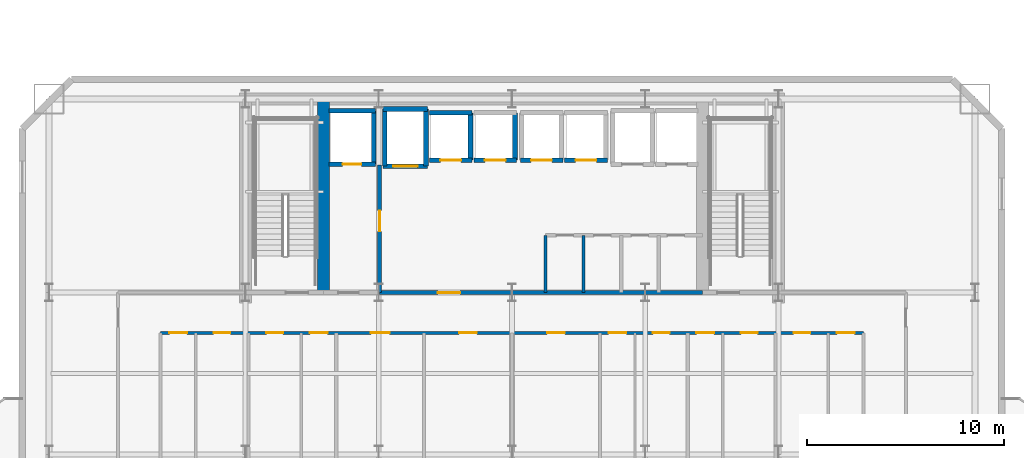
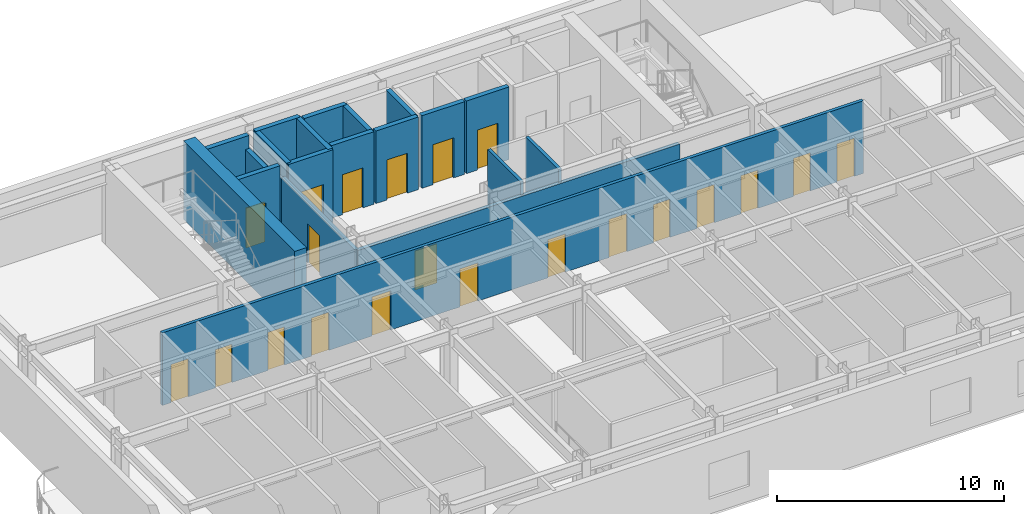
# One storey, part 6 of 15: 21 doors, 20 walls, 21 openings.
"""IFC4 building model written with IfcOpenShell, lengths in metres."""

from ifc_helpers import new_model, si_unit, direction, frame, frame_2d, origin, place, context, subcontext, project, spatial, rectangle, extrude, material, layer, layer_set, type_object, element, fill, save


model = new_model("IFC4")

# Units and contexts
model_context = context("Model", 3, precision=1e-05, world=origin(), true_north=direction((0.0, 1.0)))
body_context = subcontext(model_context, "Body", "Model", "MODEL_VIEW")
ifc_project = project(units=[si_unit("LENGTHUNIT", "METRE"), si_unit("AREAUNIT", "SQUARE_METRE"), si_unit("VOLUMEUNIT", "CUBIC_METRE"), si_unit("PLANEANGLEUNIT", "RADIAN"), si_unit("MASSUNIT", "GRAM", prefix="KILO")], contexts=[model_context])

# Site, building, storey
site_placement = place(None, origin())
site = spatial("IfcSite", under=ifc_project, at=site_placement, CompositionType="ELEMENT")
building_placement = place(site_placement, origin())
building = spatial("IfcBuilding", under=site, at=building_placement, Name="Haevon Station Towers", CompositionType="ELEMENT")
storey_placement = place(building_placement, frame((0.0, 0.0, 77.699951171875)))
storey = spatial("IfcBuildingStorey", under=building, at=storey_placement, Name="L20", CompositionType="ELEMENT", Elevation=77.699951171875)

# Wall, opening, door
ifc_material_1 = material(Name="Gypsum board on steel stud", Category="steel")
ifc_layer_1 = layer(ifc_material_1, 0.199951171875)
ifc_layer_set_1 = layer_set([ifc_layer_1], Name="Gypsum board on steel stud")
wall_type_1 = type_object("IfcWallType", Name="WL-COR200", PredefinedType="PARTITIONING", material=ifc_layer_set_1)
wall_1_placement = place(storey_placement, frame((30.800048828125, 38.199951171875, 0.0), z_axis=(0.0, 0.0, 1.0), x_axis=(0.0, 1.0, 0.0)))
wall_1 = element("IfcWall", 1, at=wall_1_placement, inside=storey, type_object=wall_type_1, Name="WL-T1FFL-L20-E", PredefinedType="PARTITIONING", context=body_context, shape_type="SweptSolid", body=[
    extrude(rectangle(XDim=6.449951171875, YDim=0.199951171875, at=frame_2d((3.22509765625, 0.0))), origin(), (0.0, 0.0, 1.0), 3.199951171875),
])
opening_1_placement = place(wall_1_placement, frame((3.10009765625, 0.0, 0.0)))
opening_1 = element("IfcOpeningElement", 2, at=opening_1_placement, cuts=wall_1, Name="Opening DR-T1FFL-L20-E", PredefinedType="OPENING", context=body_context, shape_type="SweptSolid", body=[
    extrude(rectangle(XDim=1.050048828125, YDim=2.10009765625, at=frame_2d((0.52490234375, 1.050048828125))), frame((0.0, 0.10986328125, 0.0), z_axis=(0.0, -1.0, 0.0), x_axis=(1.0, 0.0, 0.0)), (0.0, 0.0, 1.0), 0.219970703125),
])
ifc_material_2 = material(Name="Engineered oak timber", Category="wood")
door_type_1 = type_object("IfcDoorType", Name="DR-FD60-1050", OperationType="NOTDEFINED", PredefinedType="DOOR", material=ifc_material_2)
door_1_placement = place(opening_1_placement, origin())
door_1 = element("IfcDoor", 3, at=door_1_placement, inside=storey, type_object=door_type_1, Name="L20 Tower 1 Firefighting Lift Lobby Door E", OperationType="SINGLE_SWING_RIGHT", OverallHeight=2.10009765625, OverallWidth=1.050048828125, PredefinedType="DOOR", context=body_context, shape_type="SweptSolid", body=[
    extrude(rectangle(XDim=1.050048828125, YDim=2.10009765625, at=frame_2d((0.52490234375, 1.050048828125))), frame((0.0, 0.02490234375, 0.0), z_axis=(0.0, -1.0, 0.0), x_axis=(1.0, 0.0, 0.0)), (0.0, 0.0, 1.0), 0.050048828125),
])
fill(opening_1, door_1)

wall_2_placement = place(storey_placement, frame((30.800048828125, 38.199951171875, 0.0), z_axis=(0.0, 0.0, 1.0), x_axis=(1.0, 0.0, 0.0)))
wall_2 = element("IfcWall", 4, at=wall_2_placement, inside=storey, type_object=wall_type_1, Name="WL-T1CLB-L20", PredefinedType="PARTITIONING", context=body_context, shape_type="SweptSolid", body=[
    extrude(rectangle(XDim=16.349853515625, YDim=0.199951171875, at=frame_2d((8.1748046875, 0.0))), origin(), (0.0, 0.0, 1.0), 3.199951171875),
])
opening_2_placement = place(wall_2_placement, frame((2.949951171875, 0.0, 0.0)))
opening_2 = element("IfcOpeningElement", 5, at=opening_2_placement, cuts=wall_2, Name="Opening DR-T1CLB-L20-1", PredefinedType="OPENING", context=body_context, shape_type="SweptSolid", body=[
    extrude(rectangle(XDim=1.1201171875, YDim=2.10009765625, at=frame_2d((0.56005859375, 1.050048828125))), frame((0.0, 0.10986328125, 0.0), z_axis=(0.0, -1.0, 0.0), x_axis=(1.0, 0.0, 0.0)), (0.0, 0.0, 1.0), 0.219970703125),
])
door_type_2 = type_object("IfcDoorType", Name="DR-ST-1120", OperationType="NOTDEFINED", PredefinedType="DOOR", material=ifc_material_2)
door_2_placement = place(opening_2_placement, origin())
door_2 = element("IfcDoor", 6, at=door_2_placement, inside=storey, type_object=door_type_2, Name="L20 Tower 1 Core Lift Lobby Door 1", OperationType="SINGLE_SWING_RIGHT", OverallHeight=2.10009765625, OverallWidth=1.1201171875, PredefinedType="DOOR", context=body_context, shape_type="SweptSolid", body=[
    extrude(rectangle(XDim=1.1201171875, YDim=2.10009765625, at=frame_2d((0.56005859375, 1.050048828125))), frame((0.0, 0.02490234375, 0.0), z_axis=(0.0, -1.0, 0.0), x_axis=(1.0, 0.0, 0.0)), (0.0, 0.0, 1.0), 0.050048828125),
])
fill(opening_2, door_2)

# Walls
ifc_material_3 = material(Name="Concrete C60/75", Category="concrete")
ifc_layer_2 = layer(ifc_material_3, 0.60009765625)
ifc_layer_set_2 = layer_set([ifc_layer_2], Name="Concrete C60/75")
wall_type_2 = type_object("IfcWallType", Name="WL-CR600", PredefinedType="SHEAR", material=ifc_layer_set_2)
wall_3_placement = place(storey_placement, frame((27.949951171875, 38.199951171875, 0.0), z_axis=(0.0, 0.0, 1.0), x_axis=(0.0, 1.0, 0.0)))
element("IfcWall", 7, at=wall_3_placement, inside=storey, type_object=wall_type_2, Name="WL-T1CR-L20-M1", PredefinedType="SHEAR", context=body_context, shape_type="SweptSolid", body=[
    extrude(rectangle(XDim=9.800048828125, YDim=0.60009765625, at=frame_2d((4.89990234375, 0.0))), origin(), (0.0, 0.0, 1.0), 4.199951171875),
])
ifc_layer_3 = layer(ifc_material_1, 0.159912109375)
ifc_layer_set_3 = layer_set([ifc_layer_3], Name="Gypsum board on steel stud")
wall_type_3 = type_object("IfcWallType", Name="WL-PRT160", PredefinedType="PARTITIONING", material=ifc_layer_set_3)
for number, where, z_axis, x_axis, name in (
    (8, (39.199951171875, 38.199951171875, 0.0), (0.0, 0.0, 1.0), (0.0, 1.0, 0.0), "WL-T1CW-L20-01"),
    (9, (41.1298828125, 38.199951171875, 0.0), (0.0, 0.0, 1.0), (0.0, 1.0, 0.0), "WL-T1CW-L20-02"),
):
    element("IfcWall", number, at=place(storey_placement, frame(where, z_axis=z_axis, x_axis=x_axis)), inside=storey, type_object=wall_type_3, Name=name, PredefinedType="PARTITIONING", context=body_context, shape_type="SweptSolid", body=[
        extrude(rectangle(XDim=2.900146484375, YDim=0.159912109375, at=frame_2d((1.4501953125, 0.0))), origin(), (0.0, 0.0, 1.0), 3.900146484375),
    ])

# Wall, openings, doors
wall_4_placement = place(storey_placement, frame((19.699951171875, 36.14990234375, 0.0), z_axis=(0.0, 0.0, 1.0), x_axis=(1.0, 0.0, 0.0)))
wall_4 = element("IfcWall", 10, at=wall_4_placement, inside=storey, type_object=wall_type_3, Name="WL-T1PT-L20-30", PredefinedType="PARTITIONING", context=body_context, shape_type="SweptSolid", body=[
    extrude(rectangle(XDim=35.60009765625, YDim=0.159912109375, at=frame_2d((17.800048828125, 0.0))), origin(), (0.0, 0.0, 1.0), 3.900146484375),
])
opening_3_placement = place(wall_4_placement, frame((2.68994140625, 0.0, 0.0)))
opening_3 = element("IfcOpeningElement", 11, at=opening_3_placement, cuts=wall_4, Name="Opening DR-WL-T1PT-L20-30-01", PredefinedType="OPENING", context=body_context, shape_type="SweptSolid", body=[
    extrude(rectangle(XDim=0.85009765625, YDim=2.050048828125, at=frame_2d((0.425048828125, 1.02490234375))), frame((0.0, 0.08984375, 0.0), z_axis=(0.0, -1.0, 0.0), x_axis=(1.0, 0.0, 0.0)), (0.0, 0.0, 1.0), 0.179931640625),
])
opening_4_placement = place(wall_4_placement, frame((0.43994140625, 0.0, 0.0)))
opening_4 = element("IfcOpeningElement", 12, at=opening_4_placement, cuts=wall_4, Name="Opening DR-WL-T1PT-L20-30-02", PredefinedType="OPENING", context=body_context, shape_type="SweptSolid", body=[
    extrude(rectangle(XDim=0.89990234375, YDim=2.050048828125, at=frame_2d((0.449951171875, 1.02490234375))), frame((0.0, 0.08984375, 0.0), z_axis=(0.0, -1.0, 0.0), x_axis=(1.0, 0.0, 0.0)), (0.0, 0.0, 1.0), 0.179931640625),
])
opening_5_placement = place(wall_4_placement, frame((5.360107421875, 0.0, 0.0)))
opening_5 = element("IfcOpeningElement", 13, at=opening_5_placement, cuts=wall_4, Name="Opening DR-WL-T1PT-L20-30-03", PredefinedType="OPENING", context=body_context, shape_type="SweptSolid", body=[
    extrude(rectangle(XDim=0.85009765625, YDim=2.050048828125, at=frame_2d((0.425048828125, 1.02490234375))), frame((0.0, 0.08984375, 0.0), z_axis=(0.0, -1.0, 0.0), x_axis=(1.0, 0.0, 0.0)), (0.0, 0.0, 1.0), 0.179931640625),
])
opening_6_placement = place(wall_4_placement, frame((7.56005859375, 0.0, 0.0)))
opening_6 = element("IfcOpeningElement", 14, at=opening_6_placement, cuts=wall_4, Name="Opening DR-WL-T1PT-L20-30-04", PredefinedType="OPENING", context=body_context, shape_type="SweptSolid", body=[
    extrude(rectangle(XDim=0.89990234375, YDim=2.050048828125, at=frame_2d((0.449951171875, 1.02490234375))), frame((0.0, 0.08984375, 0.0), z_axis=(0.0, -1.0, 0.0), x_axis=(1.0, 0.0, 0.0)), (0.0, 0.0, 1.0), 0.179931640625),
])
opening_7_placement = place(wall_4_placement, frame((10.64990234375, 0.0, 0.0)))
opening_7 = element("IfcOpeningElement", 15, at=opening_7_placement, cuts=wall_4, Name="Opening DR-WL-T1PT-L20-30-05", PredefinedType="OPENING", context=body_context, shape_type="SweptSolid", body=[
    extrude(rectangle(XDim=0.949951171875, YDim=2.10009765625, at=frame_2d((0.47509765625, 1.050048828125))), frame((0.0, 0.08984375, 0.0), z_axis=(0.0, -1.0, 0.0), x_axis=(1.0, 0.0, 0.0)), (0.0, 0.0, 1.0), 0.179931640625),
])
opening_8_placement = place(wall_4_placement, frame((15.125, 0.0, 0.0)))
opening_8 = element("IfcOpeningElement", 16, at=opening_8_placement, cuts=wall_4, Name="Opening DR-WL-T1PT-L20-30-06", PredefinedType="OPENING", context=body_context, shape_type="SweptSolid", body=[
    extrude(rectangle(XDim=0.89990234375, YDim=2.050048828125, at=frame_2d((0.449951171875, 1.02490234375))), frame((0.0, 0.08984375, 0.0), z_axis=(0.0, -1.0, 0.0), x_axis=(1.0, 0.0, 0.0)), (0.0, 0.0, 1.0), 0.179931640625),
])
opening_9_placement = place(wall_4_placement, frame((19.574951171875, 0.0, 0.0)))
opening_9 = element("IfcOpeningElement", 17, at=opening_9_placement, cuts=wall_4, Name="Opening DR-WL-T1PT-L20-30-07", PredefinedType="OPENING", context=body_context, shape_type="SweptSolid", body=[
    extrude(rectangle(XDim=0.89990234375, YDim=2.050048828125, at=frame_2d((0.449951171875, 1.02490234375))), frame((0.0, 0.08984375, 0.0), z_axis=(0.0, -1.0, 0.0), x_axis=(1.0, 0.0, 0.0)), (0.0, 0.0, 1.0), 0.179931640625),
])
opening_10_placement = place(wall_4_placement, frame((24.93994140625, 0.0, 0.0)))
opening_10 = element("IfcOpeningElement", 18, at=opening_10_placement, cuts=wall_4, Name="Opening DR-WL-T1PT-L20-30-08", PredefinedType="OPENING", context=body_context, shape_type="SweptSolid", body=[
    extrude(rectangle(XDim=0.85009765625, YDim=2.050048828125, at=frame_2d((0.425048828125, 1.02490234375))), frame((0.0, 0.08984375, 0.0), z_axis=(0.0, -1.0, 0.0), x_axis=(1.0, 0.0, 0.0)), (0.0, 0.0, 1.0), 0.179931640625),
])
opening_11_placement = place(wall_4_placement, frame((22.68994140625, 0.0, 0.0)))
opening_11 = element("IfcOpeningElement", 19, at=opening_11_placement, cuts=wall_4, Name="Opening DR-WL-T1PT-L20-30-09", PredefinedType="OPENING", context=body_context, shape_type="SweptSolid", body=[
    extrude(rectangle(XDim=0.89990234375, YDim=2.050048828125, at=frame_2d((0.449951171875, 1.02490234375))), frame((0.0, 0.08984375, 0.0), z_axis=(0.0, -1.0, 0.0), x_axis=(1.0, 0.0, 0.0)), (0.0, 0.0, 1.0), 0.179931640625),
])
opening_12_placement = place(wall_4_placement, frame((29.389892578125, 0.0, 0.0)))
opening_12 = element("IfcOpeningElement", 20, at=opening_12_placement, cuts=wall_4, Name="Opening DR-WL-T1PT-L20-30-10", PredefinedType="OPENING", context=body_context, shape_type="SweptSolid", body=[
    extrude(rectangle(XDim=0.85009765625, YDim=2.050048828125, at=frame_2d((0.425048828125, 1.02490234375))), frame((0.0, 0.08984375, 0.0), z_axis=(0.0, -1.0, 0.0), x_axis=(1.0, 0.0, 0.0)), (0.0, 0.0, 1.0), 0.179931640625),
])
opening_13_placement = place(wall_4_placement, frame((27.139892578125, 0.0, 0.0)))
opening_13 = element("IfcOpeningElement", 21, at=opening_13_placement, cuts=wall_4, Name="Opening DR-WL-T1PT-L20-30-11", PredefinedType="OPENING", context=body_context, shape_type="SweptSolid", body=[
    extrude(rectangle(XDim=0.89990234375, YDim=2.050048828125, at=frame_2d((0.449951171875, 1.02490234375))), frame((0.0, 0.08984375, 0.0), z_axis=(0.0, -1.0, 0.0), x_axis=(1.0, 0.0, 0.0)), (0.0, 0.0, 1.0), 0.179931640625),
])
opening_14_placement = place(wall_4_placement, frame((32.06005859375, 0.0, 0.0)))
opening_14 = element("IfcOpeningElement", 22, at=opening_14_placement, cuts=wall_4, Name="Opening DR-WL-T1PT-L20-30-12", PredefinedType="OPENING", context=body_context, shape_type="SweptSolid", body=[
    extrude(rectangle(XDim=0.85009765625, YDim=2.050048828125, at=frame_2d((0.425048828125, 1.02490234375))), frame((0.0, 0.08984375, 0.0), z_axis=(0.0, -1.0, 0.0), x_axis=(1.0, 0.0, 0.0)), (0.0, 0.0, 1.0), 0.179931640625),
])
opening_15_placement = place(wall_4_placement, frame((34.260009765625, 0.0, 0.0)))
opening_15 = element("IfcOpeningElement", 23, at=opening_15_placement, cuts=wall_4, Name="Opening DR-WL-T1PT-L20-30-13", PredefinedType="OPENING", context=body_context, shape_type="SweptSolid", body=[
    extrude(rectangle(XDim=0.89990234375, YDim=2.050048828125, at=frame_2d((0.449951171875, 1.02490234375))), frame((0.0, 0.08984375, 0.0), z_axis=(0.0, -1.0, 0.0), x_axis=(1.0, 0.0, 0.0)), (0.0, 0.0, 1.0), 0.179931640625),
])
door_type_3 = type_object("IfcDoorType", Name="DR-FD30-850", OperationType="NOTDEFINED", PredefinedType="DOOR", material=ifc_material_2)
door_3_placement = place(opening_3_placement, origin())
door_3 = element("IfcDoor", 24, at=door_3_placement, inside=storey, type_object=door_type_3, Name="L20 Tower 1 Room Door 30-1", OperationType="SINGLE_SWING_RIGHT", OverallHeight=2.050048828125, OverallWidth=0.85009765625, PredefinedType="DOOR", context=body_context, shape_type="SweptSolid", body=[
    extrude(rectangle(XDim=0.85009765625, YDim=2.050048828125, at=frame_2d((0.425048828125, 1.02490234375))), frame((0.0, 0.02490234375, 0.0), z_axis=(0.0, -1.0, 0.0), x_axis=(1.0, 0.0, 0.0)), (0.0, 0.0, 1.0), 0.050048828125),
])
fill(opening_3, door_3)
door_4_placement = place(opening_5_placement, origin())
door_4 = element("IfcDoor", 25, at=door_4_placement, inside=storey, type_object=door_type_3, Name="L20 Tower 1 Room Door 30-3", OperationType="SINGLE_SWING_RIGHT", OverallHeight=2.050048828125, OverallWidth=0.85009765625, PredefinedType="DOOR", context=body_context, shape_type="SweptSolid", body=[
    extrude(rectangle(XDim=0.85009765625, YDim=2.050048828125, at=frame_2d((0.425048828125, 1.02490234375))), frame((0.0, 0.02490234375, 0.0), z_axis=(0.0, -1.0, 0.0), x_axis=(1.0, 0.0, 0.0)), (0.0, 0.0, 1.0), 0.050048828125),
])
fill(opening_5, door_4)
door_5_placement = place(opening_10_placement, origin())
door_5 = element("IfcDoor", 26, at=door_5_placement, inside=storey, type_object=door_type_3, Name="L20 Tower 1 Room Door 30-8", OperationType="SINGLE_SWING_LEFT", OverallHeight=2.050048828125, OverallWidth=0.85009765625, PredefinedType="DOOR", context=body_context, shape_type="SweptSolid", body=[
    extrude(rectangle(XDim=0.85009765625, YDim=2.050048828125, at=frame_2d((0.425048828125, 1.02490234375))), frame((0.0, 0.02490234375, 0.0), z_axis=(0.0, -1.0, 0.0), x_axis=(1.0, 0.0, 0.0)), (0.0, 0.0, 1.0), 0.050048828125),
])
fill(opening_10, door_5)
door_6_placement = place(opening_12_placement, origin())
door_6 = element("IfcDoor", 27, at=door_6_placement, inside=storey, type_object=door_type_3, Name="L20 Tower 1 Room Door 30-10", OperationType="SINGLE_SWING_LEFT", OverallHeight=2.050048828125, OverallWidth=0.85009765625, PredefinedType="DOOR", context=body_context, shape_type="SweptSolid", body=[
    extrude(rectangle(XDim=0.85009765625, YDim=2.050048828125, at=frame_2d((0.425048828125, 1.02490234375))), frame((0.0, 0.02490234375, 0.0), z_axis=(0.0, -1.0, 0.0), x_axis=(1.0, 0.0, 0.0)), (0.0, 0.0, 1.0), 0.050048828125),
])
fill(opening_12, door_6)
door_7_placement = place(opening_14_placement, origin())
door_7 = element("IfcDoor", 28, at=door_7_placement, inside=storey, type_object=door_type_3, Name="L20 Tower 1 Room Door 30-12", OperationType="SINGLE_SWING_LEFT", OverallHeight=2.050048828125, OverallWidth=0.85009765625, PredefinedType="DOOR", context=body_context, shape_type="SweptSolid", body=[
    extrude(rectangle(XDim=0.85009765625, YDim=2.050048828125, at=frame_2d((0.425048828125, 1.02490234375))), frame((0.0, 0.02490234375, 0.0), z_axis=(0.0, -1.0, 0.0), x_axis=(1.0, 0.0, 0.0)), (0.0, 0.0, 1.0), 0.050048828125),
])
fill(opening_14, door_7)
door_type_4 = type_object("IfcDoorType", Name="DR-FD30-950", OperationType="NOTDEFINED", PredefinedType="DOOR", material=ifc_material_2)
door_8_placement = place(opening_7_placement, origin())
door_8 = element("IfcDoor", 29, at=door_8_placement, inside=storey, type_object=door_type_4, Name="L20 Tower 1 Room Door 30-5", OperationType="SINGLE_SWING_RIGHT", OverallHeight=2.10009765625, OverallWidth=0.949951171875, PredefinedType="DOOR", context=body_context, shape_type="SweptSolid", body=[
    extrude(rectangle(XDim=0.949951171875, YDim=2.10009765625, at=frame_2d((0.47509765625, 1.050048828125))), frame((0.0, 0.02490234375, 0.0), z_axis=(0.0, -1.0, 0.0), x_axis=(1.0, 0.0, 0.0)), (0.0, 0.0, 1.0), 0.050048828125),
])
fill(opening_7, door_8)
door_type_5 = type_object("IfcDoorType", Name="DR-INT-900", OperationType="NOTDEFINED", PredefinedType="DOOR", material=ifc_material_2)
door_9_placement = place(opening_4_placement, origin())
door_9 = element("IfcDoor", 30, at=door_9_placement, inside=storey, type_object=door_type_5, Name="L20 Tower 1 Room Door 30-2", OperationType="SINGLE_SWING_LEFT", OverallHeight=2.050048828125, OverallWidth=0.89990234375, PredefinedType="DOOR", context=body_context, shape_type="SweptSolid", body=[
    extrude(rectangle(XDim=0.89990234375, YDim=2.050048828125, at=frame_2d((0.449951171875, 1.02490234375))), frame((0.0, 0.02490234375, 0.0), z_axis=(0.0, -1.0, 0.0), x_axis=(1.0, 0.0, 0.0)), (0.0, 0.0, 1.0), 0.050048828125),
])
fill(opening_4, door_9)
door_10_placement = place(opening_6_placement, origin())
door_10 = element("IfcDoor", 31, at=door_10_placement, inside=storey, type_object=door_type_5, Name="L20 Tower 1 Room Door 30-4", OperationType="SINGLE_SWING_LEFT", OverallHeight=2.050048828125, OverallWidth=0.89990234375, PredefinedType="DOOR", context=body_context, shape_type="SweptSolid", body=[
    extrude(rectangle(XDim=0.89990234375, YDim=2.050048828125, at=frame_2d((0.449951171875, 1.02490234375))), frame((0.0, 0.02490234375, 0.0), z_axis=(0.0, -1.0, 0.0), x_axis=(1.0, 0.0, 0.0)), (0.0, 0.0, 1.0), 0.050048828125),
])
fill(opening_6, door_10)
door_11_placement = place(opening_8_placement, origin())
door_11 = element("IfcDoor", 32, at=door_11_placement, inside=storey, type_object=door_type_5, Name="L20 Tower 1 Room Door 30-6", OperationType="SINGLE_SWING_LEFT", OverallHeight=2.050048828125, OverallWidth=0.89990234375, PredefinedType="DOOR", context=body_context, shape_type="SweptSolid", body=[
    extrude(rectangle(XDim=0.89990234375, YDim=2.050048828125, at=frame_2d((0.449951171875, 1.02490234375))), frame((0.0, 0.02490234375, 0.0), z_axis=(0.0, -1.0, 0.0), x_axis=(1.0, 0.0, 0.0)), (0.0, 0.0, 1.0), 0.050048828125),
])
fill(opening_8, door_11)
door_12_placement = place(opening_9_placement, origin())
door_12 = element("IfcDoor", 33, at=door_12_placement, inside=storey, type_object=door_type_5, Name="L20 Tower 1 Room Door 30-7", OperationType="SINGLE_SWING_RIGHT", OverallHeight=2.050048828125, OverallWidth=0.89990234375, PredefinedType="DOOR", context=body_context, shape_type="SweptSolid", body=[
    extrude(rectangle(XDim=0.89990234375, YDim=2.050048828125, at=frame_2d((0.449951171875, 1.02490234375))), frame((0.0, 0.02490234375, 0.0), z_axis=(0.0, -1.0, 0.0), x_axis=(1.0, 0.0, 0.0)), (0.0, 0.0, 1.0), 0.050048828125),
])
fill(opening_9, door_12)
door_13_placement = place(opening_11_placement, origin())
door_13 = element("IfcDoor", 34, at=door_13_placement, inside=storey, type_object=door_type_5, Name="L20 Tower 1 Room Door 30-9", OperationType="SINGLE_SWING_RIGHT", OverallHeight=2.050048828125, OverallWidth=0.89990234375, PredefinedType="DOOR", context=body_context, shape_type="SweptSolid", body=[
    extrude(rectangle(XDim=0.89990234375, YDim=2.050048828125, at=frame_2d((0.449951171875, 1.02490234375))), frame((0.0, 0.02490234375, 0.0), z_axis=(0.0, -1.0, 0.0), x_axis=(1.0, 0.0, 0.0)), (0.0, 0.0, 1.0), 0.050048828125),
])
fill(opening_11, door_13)
door_14_placement = place(opening_13_placement, origin())
door_14 = element("IfcDoor", 35, at=door_14_placement, inside=storey, type_object=door_type_5, Name="L20 Tower 1 Room Door 30-11", OperationType="SINGLE_SWING_RIGHT", OverallHeight=2.050048828125, OverallWidth=0.89990234375, PredefinedType="DOOR", context=body_context, shape_type="SweptSolid", body=[
    extrude(rectangle(XDim=0.89990234375, YDim=2.050048828125, at=frame_2d((0.449951171875, 1.02490234375))), frame((0.0, 0.02490234375, 0.0), z_axis=(0.0, -1.0, 0.0), x_axis=(1.0, 0.0, 0.0)), (0.0, 0.0, 1.0), 0.050048828125),
])
fill(opening_13, door_14)
door_15_placement = place(opening_15_placement, origin())
door_15 = element("IfcDoor", 36, at=door_15_placement, inside=storey, type_object=door_type_5, Name="L20 Tower 1 Room Door 30-13", OperationType="SINGLE_SWING_RIGHT", OverallHeight=2.050048828125, OverallWidth=0.89990234375, PredefinedType="DOOR", context=body_context, shape_type="SweptSolid", body=[
    extrude(rectangle(XDim=0.89990234375, YDim=2.050048828125, at=frame_2d((0.449951171875, 1.02490234375))), frame((0.0, 0.02490234375, 0.0), z_axis=(0.0, -1.0, 0.0), x_axis=(1.0, 0.0, 0.0)), (0.0, 0.0, 1.0), 0.050048828125),
])
fill(opening_15, door_15)

# Wall, opening, door
ifc_material_4 = material(Name="Concrete C40/50", Category="concrete")
ifc_layer_4 = layer(ifc_material_4, 0.239990234375)
ifc_layer_set_4 = layer_set([ifc_layer_4], Name="Concrete C40/50")
wall_type_4 = type_object("IfcWallType", Name="WL-SHF240", PredefinedType="PARTITIONING", material=ifc_layer_set_4)
wall_5_placement = place(storey_placement, frame((28.219970703125, 44.699951171875, 0.0), z_axis=(0.0, 0.0, 1.0), x_axis=(1.0, 0.0, 0.0)))
wall_5 = element("IfcWall", 37, at=wall_5_placement, inside=storey, type_object=wall_type_4, Name="WL-SHF-FL1-L20", PredefinedType="PARTITIONING", context=body_context, shape_type="SweptSolid", body=[
    extrude(rectangle(XDim=2.360107421875, YDim=0.239990234375, at=frame_2d((1.18017578125, 0.0))), origin(), (0.0, 0.0, 1.0), 3.900146484375),
])
opening_16_placement = place(wall_5_placement, frame((0.705078125, 0.0, 0.0)))
opening_16 = element("IfcOpeningElement", 38, at=opening_16_placement, cuts=wall_5, Name="Opening LD-FL1-L20", PredefinedType="OPENING", context=body_context, shape_type="SweptSolid", body=[
    extrude(rectangle(XDim=0.949951171875, YDim=2.14990234375, at=frame_2d((0.47509765625, 1.074951171875))), frame((0.0, 0.1298828125, 0.0), z_axis=(0.0, -1.0, 0.0), x_axis=(1.0, 0.0, 0.0)), (0.0, 0.0, 1.0), 0.260009765625),
])
ifc_material_5 = material(Name="Stainless steel and rated core", Category="steel")
door_type_6 = type_object("IfcDoorType", Name="LD-FL950", OperationType="SLIDING_TO_LEFT", PredefinedType="DOOR", material=ifc_material_5)
door_16_placement = place(opening_16_placement, origin())
door_16 = element("IfcDoor", 39, at=door_16_placement, inside=storey, type_object=door_type_6, Name="L20 Lift FL1 Sliding Landing Door", OperationType="SLIDING_TO_LEFT", OverallHeight=2.14990234375, OverallWidth=0.949951171875, PredefinedType="DOOR", context=body_context, shape_type="SweptSolid", body=[
    extrude(rectangle(XDim=0.949951171875, YDim=2.14990234375, at=frame_2d((0.47509765625, 1.074951171875))), frame((0.0, 0.02490234375, 0.0), z_axis=(0.0, -1.0, 0.0), x_axis=(1.0, 0.0, 0.0)), (0.0, 0.0, 1.0), 0.050048828125),
])
fill(opening_16, door_16)

# Walls
wall_6_placement = place(storey_placement, frame((28.219970703125, 47.39990234375, 0.0), z_axis=(0.0, 0.0, 1.0), x_axis=(1.0, 0.0, 0.0)))
element("IfcWall", 40, at=wall_6_placement, inside=storey, type_object=wall_type_4, Name="WL-SHF-FL1-L20-N", PredefinedType="PARTITIONING", context=body_context, shape_type="SweptSolid", body=[
    extrude(rectangle(XDim=2.360107421875, YDim=0.239990234375, at=frame_2d((1.18017578125, 0.0))), origin(), (0.0, 0.0, 1.0), 3.900146484375),
])
wall_7_placement = place(storey_placement, frame((30.5, 44.699951171875, 0.0), z_axis=(0.0, 0.0, 1.0), x_axis=(0.0, 1.0, 0.0)))
element("IfcWall", 41, at=wall_7_placement, inside=storey, type_object=wall_type_4, Name="WL-SHF-FL1-L20-E", PredefinedType="PARTITIONING", context=body_context, shape_type="SweptSolid", body=[
    extrude(rectangle(XDim=2.699951171875, YDim=0.239990234375, at=frame_2d((1.35009765625, 0.0))), origin(), (0.0, 0.0, 1.0), 3.199951171875),
])

# Wall, opening, door
wall_8_placement = place(storey_placement, frame((30.969970703125, 44.60009765625, 0.0), z_axis=(0.0, 0.0, 1.0), x_axis=(1.0, 0.0, 0.0)))
wall_8 = element("IfcWall", 42, at=wall_8_placement, inside=storey, type_object=wall_type_4, Name="WL-SHF-SL1-L20", PredefinedType="PARTITIONING", context=body_context, shape_type="SweptSolid", body=[
    extrude(rectangle(XDim=2.260009765625, YDim=0.239990234375, at=frame_2d((1.1298828125, 0.0))), origin(), (0.0, 0.0, 1.0), 3.900146484375),
])
opening_17_placement = place(wall_8_placement, frame((0.5048828125, 0.0, 0.0)))
opening_17 = element("IfcOpeningElement", 43, at=opening_17_placement, cuts=wall_8, Name="Opening LD-SL1-L20", PredefinedType="OPENING", context=body_context, shape_type="SweptSolid", body=[
    extrude(rectangle(XDim=1.25, YDim=2.199951171875, at=frame_2d((0.625, 1.10009765625))), frame((0.0, 0.1298828125, 0.0), z_axis=(0.0, -1.0, 0.0), x_axis=(1.0, 0.0, 0.0)), (0.0, 0.0, 1.0), 0.260009765625),
])
door_type_7 = type_object("IfcDoorType", Name="LD-SL1250", OperationType="SLIDING_TO_LEFT", PredefinedType="DOOR", material=ifc_material_5)
door_17_placement = place(opening_17_placement, origin())
door_17 = element("IfcDoor", 44, at=door_17_placement, inside=storey, type_object=door_type_7, Name="L20 Lift SL1 Sliding Landing Door", OperationType="SLIDING_TO_LEFT", OverallHeight=2.199951171875, OverallWidth=1.25, PredefinedType="DOOR", context=body_context, shape_type="SweptSolid", body=[
    extrude(rectangle(XDim=1.25, YDim=2.199951171875, at=frame_2d((0.625, 1.10009765625))), frame((0.0, 0.02490234375, 0.0), z_axis=(0.0, -1.0, 0.0), x_axis=(1.0, 0.0, 0.0)), (0.0, 0.0, 1.0), 0.050048828125),
])
fill(opening_17, door_17)

# Walls
wall_9_placement = place(storey_placement, frame((30.969970703125, 47.5, 0.0), z_axis=(0.0, 0.0, 1.0), x_axis=(1.0, 0.0, 0.0)))
element("IfcWall", 45, at=wall_9_placement, inside=storey, type_object=wall_type_4, Name="WL-SHF-SL1-L20-N", PredefinedType="PARTITIONING", context=body_context, shape_type="SweptSolid", body=[
    extrude(rectangle(XDim=2.260009765625, YDim=0.239990234375, at=frame_2d((1.1298828125, 0.0))), origin(), (0.0, 0.0, 1.0), 3.900146484375),
])
for number, where, z_axis, x_axis, name in (
    (46, (31.050048828125, 44.60009765625, 0.0), (0.0, 0.0, 1.0), (0.0, 1.0, 0.0), "WL-SHF-SL1-L20-W"),
    (47, (33.14990234375, 44.60009765625, 0.0), (0.0, 0.0, 1.0), (0.0, 1.0, 0.0), "WL-SHF-SL1-L20-E"),
):
    element("IfcWall", number, at=place(storey_placement, frame(where, z_axis=z_axis, x_axis=x_axis)), inside=storey, type_object=wall_type_4, Name=name, PredefinedType="PARTITIONING", context=body_context, shape_type="SweptSolid", body=[
        extrude(rectangle(XDim=2.89990234375, YDim=0.239990234375, at=frame_2d((1.449951171875, 0.0))), origin(), (0.0, 0.0, 1.0), 3.900146484375),
    ])

# Wall, opening, door
wall_10_placement = place(storey_placement, frame((33.320068359375, 44.89990234375, 0.0), z_axis=(0.0, 0.0, 1.0), x_axis=(1.0, 0.0, 0.0)))
wall_10 = element("IfcWall", 48, at=wall_10_placement, inside=storey, type_object=wall_type_4, Name="WL-SHF-PL1-L20", PredefinedType="PARTITIONING", context=body_context, shape_type="SweptSolid", body=[
    extrude(rectangle(XDim=2.159912109375, YDim=0.239990234375, at=frame_2d((1.080078125, 0.0))), origin(), (0.0, 0.0, 1.0), 3.900146484375),
])
opening_18_placement = place(wall_10_placement, frame((0.554931640625, 0.0, 0.0)))
opening_18 = element("IfcOpeningElement", 49, at=opening_18_placement, cuts=wall_10, Name="Opening LD-PL1-L20", PredefinedType="OPENING", context=body_context, shape_type="SweptSolid", body=[
    extrude(rectangle(XDim=1.050048828125, YDim=2.14990234375, at=frame_2d((0.52490234375, 1.074951171875))), frame((0.0, 0.1298828125, 0.0), z_axis=(0.0, -1.0, 0.0), x_axis=(1.0, 0.0, 0.0)), (0.0, 0.0, 1.0), 0.260009765625),
])
door_type_8 = type_object("IfcDoorType", Name="LD-PL1050", OperationType="SLIDING_TO_LEFT", PredefinedType="DOOR", material=ifc_material_5)
door_18_placement = place(opening_18_placement, origin())
door_18 = element("IfcDoor", 50, at=door_18_placement, inside=storey, type_object=door_type_8, Name="L20 Lift PL1 Sliding Landing Door", OperationType="SLIDING_TO_LEFT", OverallHeight=2.14990234375, OverallWidth=1.050048828125, PredefinedType="DOOR", context=body_context, shape_type="SweptSolid", body=[
    extrude(rectangle(XDim=1.050048828125, YDim=2.14990234375, at=frame_2d((0.52490234375, 1.074951171875))), frame((0.0, 0.02490234375, 0.0), z_axis=(0.0, -1.0, 0.0), x_axis=(1.0, 0.0, 0.0)), (0.0, 0.0, 1.0), 0.050048828125),
])
fill(opening_18, door_18)

# Walls
wall_11_placement = place(storey_placement, frame((33.320068359375, 47.300048828125, 0.0), z_axis=(0.0, 0.0, 1.0), x_axis=(1.0, 0.0, 0.0)))
element("IfcWall", 51, at=wall_11_placement, inside=storey, type_object=wall_type_4, Name="WL-SHF-PL1-L20-N", PredefinedType="PARTITIONING", context=body_context, shape_type="SweptSolid", body=[
    extrude(rectangle(XDim=2.159912109375, YDim=0.239990234375, at=frame_2d((1.080078125, 0.0))), origin(), (0.0, 0.0, 1.0), 3.900146484375),
])
wall_12_placement = place(storey_placement, frame((35.39990234375, 44.89990234375, 0.0), z_axis=(0.0, 0.0, 1.0), x_axis=(0.0, 1.0, 0.0)))
element("IfcWall", 52, at=wall_12_placement, inside=storey, type_object=wall_type_4, Name="WL-SHF-PL1-L20-E", PredefinedType="PARTITIONING", context=body_context, shape_type="SweptSolid", body=[
    extrude(rectangle(XDim=2.400146484375, YDim=0.239990234375, at=frame_2d((1.2001953125, 0.0))), origin(), (0.0, 0.0, 1.0), 3.900146484375),
])

# Wall, opening, door
wall_13_placement = place(storey_placement, frame((35.570068359375, 44.89990234375, 0.0), z_axis=(0.0, 0.0, 1.0), x_axis=(1.0, 0.0, 0.0)))
wall_13 = element("IfcWall", 53, at=wall_13_placement, inside=storey, type_object=wall_type_4, Name="WL-SHF-PL2-L20", PredefinedType="PARTITIONING", context=body_context, shape_type="SweptSolid", body=[
    extrude(rectangle(XDim=2.159912109375, YDim=0.239990234375, at=frame_2d((1.080078125, 0.0))), origin(), (0.0, 0.0, 1.0), 3.900146484375),
])
opening_19_placement = place(wall_13_placement, frame((0.554931640625, 0.0, 0.0)))
opening_19 = element("IfcOpeningElement", 54, at=opening_19_placement, cuts=wall_13, Name="Opening LD-PL2-L20", PredefinedType="OPENING", context=body_context, shape_type="SweptSolid", body=[
    extrude(rectangle(XDim=1.050048828125, YDim=2.14990234375, at=frame_2d((0.52490234375, 1.074951171875))), frame((0.0, 0.1298828125, 0.0), z_axis=(0.0, -1.0, 0.0), x_axis=(1.0, 0.0, 0.0)), (0.0, 0.0, 1.0), 0.260009765625),
])
door_19_placement = place(opening_19_placement, origin())
door_19 = element("IfcDoor", 55, at=door_19_placement, inside=storey, type_object=door_type_8, Name="L20 Lift PL2 Sliding Landing Door", OperationType="SLIDING_TO_LEFT", OverallHeight=2.14990234375, OverallWidth=1.050048828125, PredefinedType="DOOR", context=body_context, shape_type="SweptSolid", body=[
    extrude(rectangle(XDim=1.050048828125, YDim=2.14990234375, at=frame_2d((0.52490234375, 1.074951171875))), frame((0.0, 0.02490234375, 0.0), z_axis=(0.0, -1.0, 0.0), x_axis=(1.0, 0.0, 0.0)), (0.0, 0.0, 1.0), 0.050048828125),
])
fill(opening_19, door_19)

# Wall
wall_14_placement = place(storey_placement, frame((37.64990234375, 44.89990234375, 0.0), z_axis=(0.0, 0.0, 1.0), x_axis=(0.0, 1.0, 0.0)))
element("IfcWall", 56, at=wall_14_placement, inside=storey, type_object=wall_type_4, Name="WL-SHF-PL2-L20-E", PredefinedType="PARTITIONING", context=body_context, shape_type="SweptSolid", body=[
    extrude(rectangle(XDim=2.400146484375, YDim=0.239990234375, at=frame_2d((1.2001953125, 0.0))), origin(), (0.0, 0.0, 1.0), 3.900146484375),
])

# Wall, opening, door
wall_15_placement = place(storey_placement, frame((37.919921875, 44.89990234375, 0.0), z_axis=(0.0, 0.0, 1.0), x_axis=(1.0, 0.0, 0.0)))
wall_15 = element("IfcWall", 57, at=wall_15_placement, inside=storey, type_object=wall_type_4, Name="WL-SHF-PL3-L20", PredefinedType="PARTITIONING", context=body_context, shape_type="SweptSolid", body=[
    extrude(rectangle(XDim=2.16015625, YDim=0.239990234375, at=frame_2d((1.080078125, 0.0))), origin(), (0.0, 0.0, 1.0), 3.900146484375),
])
opening_20_placement = place(wall_15_placement, frame((0.554931640625, 0.0, 0.0)))
opening_20 = element("IfcOpeningElement", 58, at=opening_20_placement, cuts=wall_15, Name="Opening LD-PL3-L20", PredefinedType="OPENING", context=body_context, shape_type="SweptSolid", body=[
    extrude(rectangle(XDim=1.050048828125, YDim=2.14990234375, at=frame_2d((0.52490234375, 1.074951171875))), frame((0.0, 0.1298828125, 0.0), z_axis=(0.0, -1.0, 0.0), x_axis=(1.0, 0.0, 0.0)), (0.0, 0.0, 1.0), 0.260009765625),
])
door_20_placement = place(opening_20_placement, origin())
door_20 = element("IfcDoor", 59, at=door_20_placement, inside=storey, type_object=door_type_8, Name="L20 Lift PL3 Sliding Landing Door", OperationType="SLIDING_TO_LEFT", OverallHeight=2.14990234375, OverallWidth=1.050048828125, PredefinedType="DOOR", context=body_context, shape_type="SweptSolid", body=[
    extrude(rectangle(XDim=1.050048828125, YDim=2.14990234375, at=frame_2d((0.52490234375, 1.074951171875))), frame((0.0, 0.02490234375, 0.0), z_axis=(0.0, -1.0, 0.0), x_axis=(1.0, 0.0, 0.0)), (0.0, 0.0, 1.0), 0.050048828125),
])
fill(opening_20, door_20)

wall_16_placement = place(storey_placement, frame((40.169921875, 44.89990234375, 0.0), z_axis=(0.0, 0.0, 1.0), x_axis=(1.0, 0.0, 0.0)))
wall_16 = element("IfcWall", 60, at=wall_16_placement, inside=storey, type_object=wall_type_4, Name="WL-SHF-PL4-L20", PredefinedType="PARTITIONING", context=body_context, shape_type="SweptSolid", body=[
    extrude(rectangle(XDim=2.16015625, YDim=0.239990234375, at=frame_2d((1.080078125, 0.0))), origin(), (0.0, 0.0, 1.0), 3.900146484375),
])
opening_21_placement = place(wall_16_placement, frame((0.554931640625, 0.0, 0.0)))
opening_21 = element("IfcOpeningElement", 61, at=opening_21_placement, cuts=wall_16, Name="Opening LD-PL4-L20", PredefinedType="OPENING", context=body_context, shape_type="SweptSolid", body=[
    extrude(rectangle(XDim=1.050048828125, YDim=2.14990234375, at=frame_2d((0.52490234375, 1.074951171875))), frame((0.0, 0.1298828125, 0.0), z_axis=(0.0, -1.0, 0.0), x_axis=(1.0, 0.0, 0.0)), (0.0, 0.0, 1.0), 0.260009765625),
])
door_21_placement = place(opening_21_placement, origin())
door_21 = element("IfcDoor", 62, at=door_21_placement, inside=storey, type_object=door_type_8, Name="L20 Lift PL4 Sliding Landing Door", OperationType="SLIDING_TO_LEFT", OverallHeight=2.14990234375, OverallWidth=1.050048828125, PredefinedType="DOOR", context=body_context, shape_type="SweptSolid", body=[
    extrude(rectangle(XDim=1.050048828125, YDim=2.14990234375, at=frame_2d((0.52490234375, 1.074951171875))), frame((0.0, 0.02490234375, 0.0), z_axis=(0.0, -1.0, 0.0), x_axis=(1.0, 0.0, 0.0)), (0.0, 0.0, 1.0), 0.050048828125),
])
fill(opening_21, door_21)

save(model, "model.ifc")
